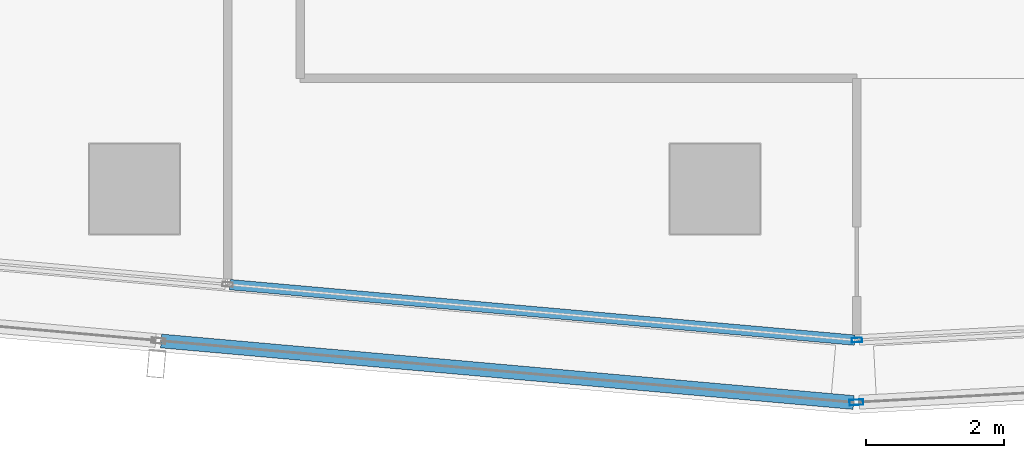
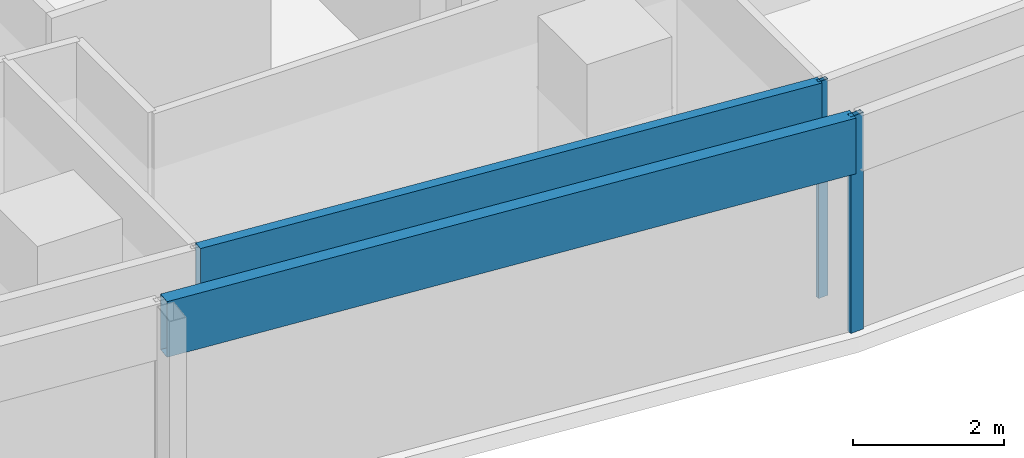
# One storey, part 5 of 29: 4 members, 4 elements without a shape of their own.
"""IFC4 building model written with IfcOpenShell, lengths in metres."""

from ifc_helpers import new_model, si_unit, direction, frame, origin, origin_2d, place, context, subcontext, project, spatial, hollow_rectangle, extrude, material, material_profile, profile_set, type_object, element, aggregate, save


model = new_model("IFC4")

# Units and contexts
model_context = context("Model", 3, precision=1e-05, world=origin(), true_north=direction((0.0, 1.0)))
body_context = subcontext(model_context, "Body", "Model", "MODEL_VIEW")
ifc_project = project(units=[si_unit("LENGTHUNIT", "METRE"), si_unit("AREAUNIT", "SQUARE_METRE"), si_unit("VOLUMEUNIT", "CUBIC_METRE"), si_unit("PLANEANGLEUNIT", "RADIAN"), si_unit("MASSUNIT", "GRAM", prefix="KILO")], contexts=[model_context])

# Site, building, storey
site_placement = place(None, origin())
site = spatial("IfcSite", under=ifc_project, at=site_placement, CompositionType="ELEMENT")
building_placement = place(site_placement, origin())
building = spatial("IfcBuilding", under=site, at=building_placement, Name="Rekha Terrace Tower", CompositionType="ELEMENT")
storey_placement = place(building_placement, frame((0.0, 0.0, 257.60009765625)))
storey = spatial("IfcBuildingStorey", under=building, at=storey_placement, Name="L65", CompositionType="ELEMENT", Elevation=257.60009765625)

# Curtain wall, member
ifc_material_1 = material(Name="Aluminium framing", Category="aluminium")
curtain_wall_type_1 = type_object("IfcCurtainWallType", Name="CW1 double skin inner glazing", PredefinedType="USERDEFINED", material=ifc_material_1)
curtain_wall_1_placement = place(storey_placement, origin())
curtain_wall_1 = element("IfcCurtainWall", 1, at=curtain_wall_1_placement, inside=storey, type_object=curtain_wall_type_1, Name="CW1 double skin inner glazing", ObjectType="DOUBLE SKIN INNER GLAZING", PredefinedType="USERDEFINED")
ifc_material_2 = material(Name="Aluminium mullion section", Category="aluminium")
ifc_material_profile_1 = material_profile(ifc_material_2, hollow_rectangle(XDim=0.06494140625, YDim=0.14990234375, WallThickness=0.00390625, at=origin_2d()), Name="AL RHS 65x150")
ifc_profile_set_1 = profile_set([ifc_material_profile_1], Name="Aluminium mullion section")
member_type_1 = type_object("IfcMemberType", Name="CW1 mullion RHS 65 x 150", PredefinedType="MULLION", material=ifc_profile_set_1)
member_1_placement = place(storey_placement, frame((27.254638671875, 14.6142578125, 0.0), z_axis=(0.0, 0.0, 1.0), x_axis=(-0.054388903036, 0.998519828159, 0.0)))
member_1 = element("IfcMember", 2, at=member_1_placement, type_object=member_type_1, Name="CW1 mullion 1", PredefinedType="MULLION", context=body_context, shape_type="SweptSolid", body=[
    extrude(hollow_rectangle(XDim=0.06494140625, YDim=0.14990234375, WallThickness=0.00390625, at=origin_2d()), origin(), (0.0, 0.0, 1.0), 3.5),
])
aggregate(curtain_wall_1, [member_1])

curtain_wall_2_placement = place(storey_placement, origin())
curtain_wall_2 = element("IfcCurtainWall", 3, at=curtain_wall_2_placement, inside=storey, type_object=curtain_wall_type_1, Name="CW1 double skin inner glazing", ObjectType="DOUBLE SKIN INNER GLAZING", PredefinedType="USERDEFINED")
ifc_material_3 = material(Name="Insulated aluminium spandrel box", Category="aluminium")
ifc_material_profile_2 = material_profile(ifc_material_3, hollow_rectangle(XDim=0.14990234375, YDim=0.89990234375, WallThickness=0.0029296875, at=origin_2d()), Name="AL SPANDREL BOX 150x900")
ifc_profile_set_2 = profile_set([ifc_material_profile_2], Name="Insulated aluminium spandrel box")
member_type_2 = type_object("IfcMemberType", Name="CW1 spandrel transom 150 x 900", PredefinedType="USERDEFINED", material=ifc_profile_set_2)
member_2_placement = place(storey_placement, frame((18.181884765625, 15.416015625, 3.0498046875), z_axis=(0.996073747712, -0.088527335432, 0.0), x_axis=(0.088527335432, 0.996073747712, 0.0)))
member_2 = element("IfcMember", 4, at=member_2_placement, type_object=member_type_2, Name="CW1 spandrel transom 2", ObjectType="TRANSOM", PredefinedType="USERDEFINED", context=body_context, shape_type="SweptSolid", body=[
    extrude(hollow_rectangle(XDim=0.14990234375, YDim=0.89990234375, WallThickness=0.0029296875, at=origin_2d()), origin(), (0.0, 0.0, 1.0), 9.075927734375),
])
aggregate(curtain_wall_2, [member_2])

curtain_wall_type_2 = type_object("IfcCurtainWallType", Name="CW2 double skin outer glazing", PredefinedType="USERDEFINED", material=ifc_material_1)
curtain_wall_3_placement = place(storey_placement, origin())
curtain_wall_3 = element("IfcCurtainWall", 5, at=curtain_wall_3_placement, inside=storey, type_object=curtain_wall_type_2, Name="CW2 double skin outer glazing", ObjectType="DOUBLE SKIN OUTER GLAZING", PredefinedType="USERDEFINED")
ifc_material_profile_3 = material_profile(ifc_material_2, hollow_rectangle(XDim=0.080078125, YDim=0.199951171875, WallThickness=0.00390625, at=origin_2d()), Name="AL RHS 80x200")
ifc_profile_set_3 = profile_set([ifc_material_profile_3], Name="Aluminium mullion section")
member_type_3 = type_object("IfcMemberType", Name="CW2 mullion RHS 80 x 200", PredefinedType="MULLION", material=ifc_profile_set_3)
member_3_placement = place(storey_placement, frame((27.24658203125, 13.712646484375, 0.0), z_axis=(0.0, 0.0, 1.0), x_axis=(-0.054388903071, 0.998519828157, 0.0)))
member_3 = element("IfcMember", 6, at=member_3_placement, type_object=member_type_3, Name="CW2 mullion 1", PredefinedType="MULLION", context=body_context, shape_type="SweptSolid", body=[
    extrude(hollow_rectangle(XDim=0.080078125, YDim=0.199951171875, WallThickness=0.00390625, at=origin_2d()), origin(), (0.0, 0.0, 1.0), 3.5),
])
aggregate(curtain_wall_3, [member_3])

curtain_wall_4_placement = place(storey_placement, origin())
curtain_wall_4 = element("IfcCurtainWall", 7, at=curtain_wall_4_placement, inside=storey, type_object=curtain_wall_type_2, Name="CW2 double skin outer glazing", ObjectType="DOUBLE SKIN OUTER GLAZING", PredefinedType="USERDEFINED")
ifc_material_profile_4 = material_profile(ifc_material_3, hollow_rectangle(XDim=0.199951171875, YDim=0.89990234375, WallThickness=0.0029296875, at=origin_2d()), Name="AL SPANDREL BOX 200x900")
ifc_profile_set_4 = profile_set([ifc_material_profile_4], Name="Insulated aluminium spandrel box")
member_type_4 = type_object("IfcMemberType", Name="CW2 spandrel transom 200 x 900", PredefinedType="USERDEFINED", material=ifc_profile_set_4)
member_4_placement = place(storey_placement, frame((17.188232421875, 14.600830078125, 3.0498046875), z_axis=(0.996074020135, -0.088524270188, 0.0), x_axis=(0.088524270188, 0.996074020135, 0.0)))
member_4 = element("IfcMember", 8, at=member_4_placement, type_object=member_type_4, Name="CW2 spandrel transom 2", ObjectType="TRANSOM", PredefinedType="USERDEFINED", context=body_context, shape_type="SweptSolid", body=[
    extrude(hollow_rectangle(XDim=0.199951171875, YDim=0.89990234375, WallThickness=0.0029296875, at=origin_2d()), origin(), (0.0, 0.0, 1.0), 10.05810546875),
])
aggregate(curtain_wall_4, [member_4])

save(model, "model.ifc")
